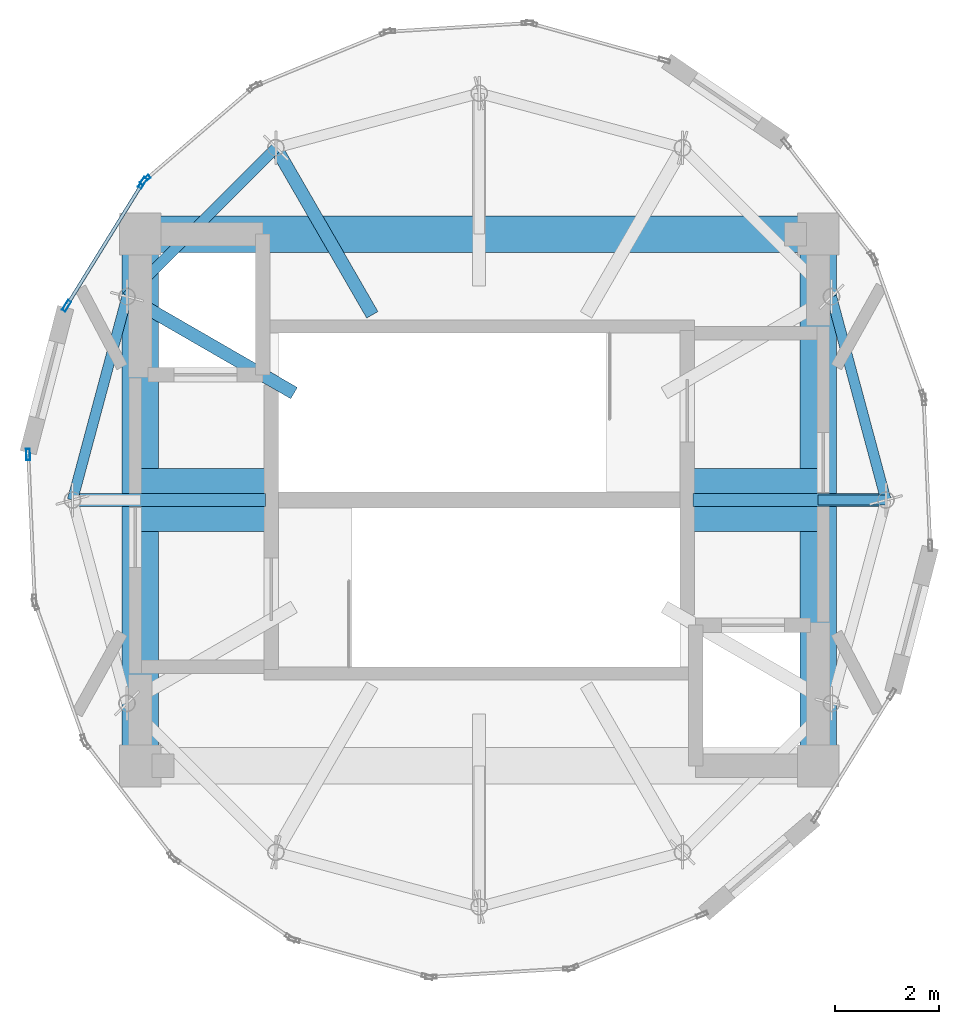
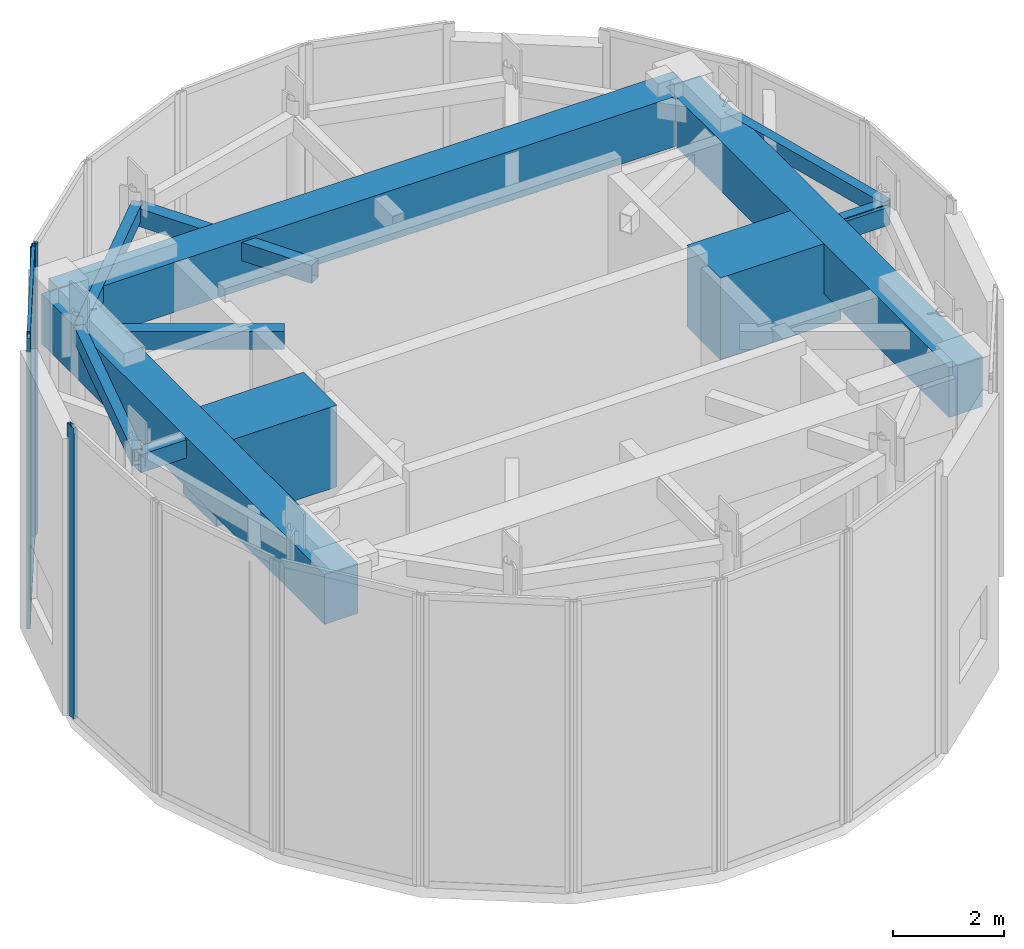
# One storey, part 3 of 7: 10 members, 9 beams, 3 elements without a shape of their own.
"""IFC4 building model written with IfcOpenShell, lengths in metres."""

from ifc_helpers import new_model, si_unit, direction, frame, origin, origin_2d, place, context, subcontext, project, spatial, rectangle, hollow_rectangle, i_section, extrude, source, transform, mapped, material, layer, layer_set, material_profile, profile_set, type_object, element, aggregate, save


model = new_model("IFC4")

# Units and contexts
model_context = context("Model", 3, precision=1e-05, world=origin(), true_north=direction((0.0, 1.0)))
body_context = subcontext(model_context, "Body", "Model", "MODEL_VIEW")
ifc_project = project(units=[si_unit("LENGTHUNIT", "METRE"), si_unit("AREAUNIT", "SQUARE_METRE"), si_unit("VOLUMEUNIT", "CUBIC_METRE"), si_unit("PLANEANGLEUNIT", "RADIAN"), si_unit("MASSUNIT", "GRAM", prefix="KILO")], contexts=[model_context])

# Site, building, storey
site_placement = place(None, origin())
site = spatial("IfcSite", under=ifc_project, at=site_placement, CompositionType="ELEMENT")
building_placement = place(site_placement, origin())
building = spatial("IfcBuilding", under=site, at=building_placement, Name="Solvirekh Grand Hotel", CompositionType="ELEMENT")
storey_placement = place(building_placement, frame((0.0, 0.0, 333.800048828125)))
storey = spatial("IfcBuildingStorey", under=building, at=storey_placement, Name="L83", CompositionType="ELEMENT", Elevation=333.800048828125)

# Beams
ifc_material_1 = material(Name="Concrete C60/75", Category="concrete")
ifc_material_profile_1 = material_profile(ifc_material_1, rectangle(XDim=0.699951171875, YDim=1.10009765625, at=origin_2d()), Name="RC BEAM 700X1100")
ifc_profile_set_1 = profile_set([ifc_material_profile_1], Name="Concrete C60/75")
beam_type_1 = type_object("IfcBeamType", Name="Beam_Core_RC1100", PredefinedType="BEAM", material=ifc_profile_set_1)
beam_1_placement = place(storey_placement, frame((6.5, -5.10009765625, 5.550048828125), z_axis=(0.0, 1.0, 0.0), x_axis=(-1.0, 0.0, 0.0)))
element("IfcBeam", 1, at=beam_1_placement, inside=storey, type_object=beam_type_1, Name="L83 core coupling ring beam 2", PredefinedType="BEAM", context=body_context, shape_type="SweptSolid", body=[
    extrude(rectangle(XDim=0.699951171875, YDim=1.10009765625, at=origin_2d()), origin(), (0.0, 0.0, 1.0), 10.2001953125),
])
beam_2_placement = place(storey_placement, frame((6.5, 5.10009765625, 5.550048828125), z_axis=(-1.0, 0.0, 0.0), x_axis=(0.0, -1.0, 0.0)))
element("IfcBeam", 2, at=beam_2_placement, inside=storey, type_object=beam_type_1, Name="L83 core coupling ring beam 3", PredefinedType="BEAM", context=body_context, shape_type="SweptSolid", body=[
    extrude(rectangle(XDim=0.699951171875, YDim=1.10009765625, at=origin_2d()), origin(), (0.0, 0.0, 1.0), 13.0),
])
beam_3_placement = place(storey_placement, frame((-6.5, 5.10009765625, 5.550048828125), z_axis=(0.0, -1.0, 0.0), x_axis=(1.0, 0.0, 0.0)))
element("IfcBeam", 3, at=beam_3_placement, inside=storey, type_object=beam_type_1, Name="L83 core coupling ring beam 4", PredefinedType="BEAM", context=body_context, shape_type="SweptSolid", body=[
    extrude(rectangle(XDim=0.699951171875, YDim=1.10009765625, at=origin_2d()), origin(), (0.0, 0.0, 1.0), 10.2001953125),
])
ifc_material_2 = material(Name="Steel S355", Category="steel")
ifc_material_profile_2 = material_profile(ifc_material_2, i_section(OverallWidth=0.194091796875, OverallDepth=0.468994140625, WebThickness=0.010986328125, FlangeThickness=0.01904296875, FilletRadius=0.012939453125, at=origin_2d()), Name="W460X106")
ifc_profile_set_2 = profile_set([ifc_material_profile_2], Name="Steel S355")
beam_type_2 = type_object("IfcBeamType", Name="Beam_Radial_W460H", PredefinedType="BEAM", material=ifc_profile_set_2)
beam_4_placement = place(storey_placement, frame((6.5, 0.0, 5.864990234375), z_axis=(1.0, 0.0, 0.0), x_axis=(0.0, 1.0, 0.0)))
element("IfcBeam", 4, at=beam_4_placement, inside=storey, type_object=beam_type_2, Name="L83 radial floor beam R01", PredefinedType="BEAM", context=body_context, shape_type="SweptSolid", body=[
    extrude(i_section(OverallWidth=0.194091796875, OverallDepth=0.468994140625, WebThickness=0.010986328125, FlangeThickness=0.01904296875, FilletRadius=0.012939453125, at=origin_2d()), origin(), (0.0, 0.0, 1.0), 1.300048828125),
])

# Members
ifc_material_profile_3 = material_profile(ifc_material_2, hollow_rectangle(XDim=0.25, YDim=0.39990234375, WallThickness=0.01611328125, at=origin_2d()), Name="RHS 400X250X16")
ifc_profile_set_3 = profile_set([ifc_material_profile_3], Name="Steel S355")
member_type_1 = type_object("IfcMemberType", Name="Rafter_Crown_RHS400", PredefinedType="RAFTER", material=ifc_profile_set_3)
member_1_placement = place(storey_placement, frame((7.800048828125, 0.0, 5.849853515625), z_axis=(-1.0, 0.0, 0.0), x_axis=(0.0, -1.0, 0.0)))
element("IfcMember", 5, at=member_1_placement, inside=storey, type_object=member_type_1, Name="Crown collar rafter 1", PredefinedType="RAFTER", context=body_context, shape_type="SweptSolid", body=[
    extrude(hollow_rectangle(XDim=0.25, YDim=0.39990234375, WallThickness=0.01611328125, at=origin_2d()), origin(), (0.0, 0.0, 1.0), 3.699951171875),
])
for number, where, z_axis, x_axis, name in (
    (6, (-3.89990234375, 6.7548828125, 5.849853515625), (0.500021401916, -0.86601304703, 0.0), (0.86601304703, 0.500021401916, 0.0), "Crown collar rafter 5"),
    (7, (-6.7548828125, 3.89990234375, 5.849853515625), (0.86601304703, -0.500021401916, 0.0), (0.500021401916, 0.86601304703, 0.0), "Crown collar rafter 6"),
):
    element("IfcMember", number, at=place(storey_placement, frame(where, z_axis=z_axis, x_axis=x_axis)), inside=storey, type_object=member_type_1, Name=name, PredefinedType="RAFTER", context=body_context, shape_type="SweptSolid", body=[
        extrude(hollow_rectangle(XDim=0.25, YDim=0.39990234375, WallThickness=0.01611328125, at=origin_2d()), origin(), (0.0, 0.0, 1.0), 3.699462890625),
    ])
member_2_placement = place(storey_placement, frame((-7.800048828125, 0.0, 5.849853515625), z_axis=(1.0, 0.0, 0.0), x_axis=(0.0, 1.0, 0.0)))
element("IfcMember", 8, at=member_2_placement, inside=storey, type_object=member_type_1, Name="Crown collar rafter 7", PredefinedType="RAFTER", context=body_context, shape_type="SweptSolid", body=[
    extrude(hollow_rectangle(XDim=0.25, YDim=0.39990234375, WallThickness=0.01611328125, at=origin_2d()), origin(), (0.0, 0.0, 1.0), 3.699951171875),
])

# Beams
ifc_material_profile_4 = material_profile(ifc_material_2, hollow_rectangle(XDim=0.199951171875, YDim=0.35009765625, WallThickness=0.013916015625, at=origin_2d()), Name="RHS 350X200X14")
ifc_profile_set_4 = profile_set([ifc_material_profile_4], Name="Steel S355")
beam_type_3 = type_object("IfcBeamType", Name="Spandrel_Crown_RHS350", PredefinedType="SPANDREL", material=ifc_profile_set_4)
for number, where, z_axis, x_axis, name in (
    (9, (7.800048828125, 0.0, 5.925048828125), (-0.258863027773, 0.965914040095, 0.0), (-0.965914040095, -0.258863027773, 0.0), "L83 perimeter spandrel beam 1"),
    (10, (-3.89990234375, 6.7548828125, 5.925048828125), (-0.707106781187, -0.707106781187, 0.0), (0.707106781187, -0.707106781187, 0.0), "L83 perimeter spandrel beam 5"),
    (11, (-6.7548828125, 3.89990234375, 5.925048828125), (-0.258863027773, -0.965914040095, 0.0), (0.965914040095, -0.258863027773, 0.0), "L83 perimeter spandrel beam 6"),
):
    element("IfcBeam", number, at=place(storey_placement, frame(where, z_axis=z_axis, x_axis=x_axis)), inside=storey, type_object=beam_type_3, Name=name, PredefinedType="SPANDREL", context=body_context, shape_type="SweptSolid", body=[
        extrude(hollow_rectangle(XDim=0.199951171875, YDim=0.35009765625, WallThickness=0.013916015625, at=origin_2d()), origin(), (0.0, 0.0, 1.0), 4.03759765625),
    ])
ifc_material_profile_5 = material_profile(ifc_material_1, rectangle(XDim=1.199951171875, YDim=1.800048828125, at=origin_2d()), Name="RC GIRDER 1200X1800")
ifc_profile_set_5 = profile_set([ifc_material_profile_5], Name="Concrete C60/75")
beam_type_4 = type_object("IfcBeamType", Name="TransferGirder_RC1800", PredefinedType="USERDEFINED", material=ifc_profile_set_5)
for number, where, z_axis, x_axis, name in (
    (12, (-6.5, 0.0, 5.199951171875), (1.0, 0.0, 0.0), (0.0, 1.0, 0.0), "L83 west crown mast support tie girder"),
    (13, (3.989990234375, 0.0, 5.199951171875), (1.0, 0.0, 0.0), (0.0, 1.0, 0.0), "L83 east crown mast support tie girder"),
):
    element("IfcBeam", number, at=place(storey_placement, frame(where, z_axis=z_axis, x_axis=x_axis)), inside=storey, type_object=beam_type_4, Name=name, ObjectType="TRANSFER GIRDER", PredefinedType="USERDEFINED", context=body_context, shape_type="SweptSolid", body=[
        extrude(rectangle(XDim=1.199951171875, YDim=1.800048828125, at=origin_2d()), origin(), (0.0, 0.0, 1.0), 2.510009765625),
    ])

# Curtain wall, member
ifc_material_3 = material(Name="Anodized Bronze Aluminium 6063-T6", Category="aluminium")
ifc_layer = layer(ifc_material_3, 0.219970703125)
ifc_layer_set = layer_set([ifc_layer], Name="Anodized Bronze Aluminium 6063-T6")
curtain_wall_type = type_object("IfcCurtainWallType", Name="CW_Sys6_CrownFacetedPointCW", PredefinedType="NOTDEFINED", material=ifc_layer_set)
curtain_wall_1_placement = place(storey_placement, origin())
curtain_wall_1 = element("IfcCurtainWall", 14, at=curtain_wall_1_placement, inside=storey, type_object=curtain_wall_type, Name="L83 unitised bronze-glass curtain wall CW-L83-C13", PredefinedType="NOTDEFINED")
ifc_material_profile_6 = material_profile(ifc_material_3, hollow_rectangle(XDim=0.074951171875, YDim=0.219970703125, WallThickness=0.006103515625, at=origin_2d()), Name="ALU RHS 220X75X6")
ifc_profile_set_6 = profile_set([ifc_material_profile_6], Name="Anodized Bronze Aluminium 6063-T6")
member_type_2 = type_object("IfcMemberType", Name="CWMullion_Sys6", PredefinedType="MULLION", material=ifc_profile_set_6)
shared_shape_1 = source(origin(), body_context, "Body", "SweptSolid", [
    extrude(hollow_rectangle(XDim=0.074951171875, YDim=0.219970703125, WallThickness=0.006103515625, at=origin_2d()), origin(), (0.0, 0.0, 1.0), 6.39990234375),
])
member_3_placement = place(storey_placement, frame((-6.406494140625, 6.138427734375, 0.0), z_axis=(0.0, 0.0, 1.0), x_axis=(0.650761975183, -0.759281799898, 0.0)))
member_3 = element("IfcMember", 15, at=member_3_placement, type_object=member_type_2, Name="U06 mullion 2", PredefinedType="MULLION", context=body_context, shape_type="MappedRepresentation", body=[
    mapped(shared_shape_1, transform((0.0, 0.0, 0.0), x_axis=(1.0, 0.0, 0.0), y_axis=(0.0, 1.0, 0.0), z_axis=(0.0, 0.0, 1.0), scale=1.0)),
])
aggregate(curtain_wall_1, [member_3])

# Curtain wall, members
curtain_wall_2_placement = place(storey_placement, origin())
curtain_wall_2 = element("IfcCurtainWall", 16, at=curtain_wall_2_placement, inside=storey, type_object=curtain_wall_type, Name="L83 unitised bronze-glass curtain wall CW-L83-C14", PredefinedType="NOTDEFINED")
member_4_placement = place(storey_placement, frame((-6.454833984375, 6.08203125, 0.0), z_axis=(0.0, 0.0, 1.0), x_axis=(0.850631696106, -0.525762035125, 0.0)))
member_4 = element("IfcMember", 17, at=member_4_placement, type_object=member_type_2, Name="U06 mullion 1", PredefinedType="MULLION", context=body_context, shape_type="MappedRepresentation", body=[
    mapped(shared_shape_1, transform((0.0, 0.0, 0.0), x_axis=(1.0, 0.0, 0.0), y_axis=(0.0, 1.0, 0.0), z_axis=(0.0, 0.0, 1.0), scale=1.0)),
])
member_5_placement = place(storey_placement, frame((-7.912353515625, 3.723876953125, 0.0), z_axis=(0.0, 0.0, 1.0), x_axis=(0.850631696106, -0.525762035125, 0.0)))
member_5 = element("IfcMember", 18, at=member_5_placement, type_object=member_type_2, Name="U06 mullion 2", PredefinedType="MULLION", context=body_context, shape_type="MappedRepresentation", body=[
    mapped(shared_shape_1, transform((0.0, 0.0, 0.0), x_axis=(1.0, 0.0, 0.0), y_axis=(0.0, 1.0, 0.0), z_axis=(0.0, 0.0, 1.0), scale=1.0)),
])

# Curtain wall, member
curtain_wall_3_placement = place(storey_placement, origin())
curtain_wall_3 = element("IfcCurtainWall", 19, at=curtain_wall_3_placement, inside=storey, type_object=curtain_wall_type, Name="L83 unitised bronze-glass curtain wall CW-L83-C16", PredefinedType="NOTDEFINED")
member_6_placement = place(storey_placement, frame((-8.650390625, 0.87158203125, 0.0), z_axis=(0.0, 0.0, 1.0), x_axis=(0.999038348092, 0.04384494318, 0.0)))
member_6 = element("IfcMember", 20, at=member_6_placement, type_object=member_type_2, Name="U06 mullion 1", PredefinedType="MULLION", context=body_context, shape_type="MappedRepresentation", body=[
    mapped(shared_shape_1, transform((0.0, 0.0, 0.0), x_axis=(1.0, 0.0, 0.0), y_axis=(0.0, 1.0, 0.0), z_axis=(0.0, 0.0, 1.0), scale=1.0)),
])
aggregate(curtain_wall_3, [member_6])

# Member
ifc_material_profile_7 = material_profile(ifc_material_3, hollow_rectangle(XDim=0.06494140625, YDim=0.14990234375, WallThickness=0.0048828125, at=origin_2d()), Name="ALU RHS 150X65X5")
ifc_profile_set_7 = profile_set([ifc_material_profile_7], Name="Anodized Bronze Aluminium 6063-T6")
member_type_3 = type_object("IfcMemberType", Name="CWTransom_Sys6", PredefinedType="USERDEFINED", material=ifc_profile_set_7)
shared_shape_2 = source(origin(), body_context, "Body", "SweptSolid", [
    extrude(hollow_rectangle(XDim=0.06494140625, YDim=0.14990234375, WallThickness=0.0048828125, at=origin_2d()), origin(), (0.0, 0.0, 1.0), 2.697265625),
])
member_7_placement = place(storey_placement, frame((-6.474365234375, 6.05029296875, 0.032470703125), z_axis=(-0.525778042836, -0.850621801785, 0.0), x_axis=(0.850621801785, -0.525778042836, 0.0)))
member_7 = element("IfcMember", 21, at=member_7_placement, type_object=member_type_3, Name="U06 transom 1.1", ObjectType="TRANSOM", PredefinedType="USERDEFINED", context=body_context, shape_type="MappedRepresentation", body=[
    mapped(shared_shape_2, transform((0.0, 0.0, 0.0), x_axis=(1.0, 0.0, 0.0), y_axis=(0.0, 1.0, 0.0), z_axis=(0.0, 0.0, 1.0), scale=1.0)),
])

member_8_placement = place(storey_placement, frame((-6.474365234375, 6.05029296875, 6.367431640625), z_axis=(-0.525778042836, -0.850621801785, 0.0), x_axis=(0.850621801785, -0.525778042836, 0.0)))
member_8 = element("IfcMember", 22, at=member_8_placement, type_object=member_type_3, Name="U06 transom 1.2", ObjectType="TRANSOM", PredefinedType="USERDEFINED", context=body_context, shape_type="MappedRepresentation", body=[
    mapped(shared_shape_2, transform((0.0, 0.0, 0.0), x_axis=(1.0, 0.0, 0.0), y_axis=(0.0, 1.0, 0.0), z_axis=(0.0, 0.0, 1.0), scale=1.0)),
])

aggregate(curtain_wall_2, [member_4, member_5, member_7, member_8])

save(model, "model.ifc")
